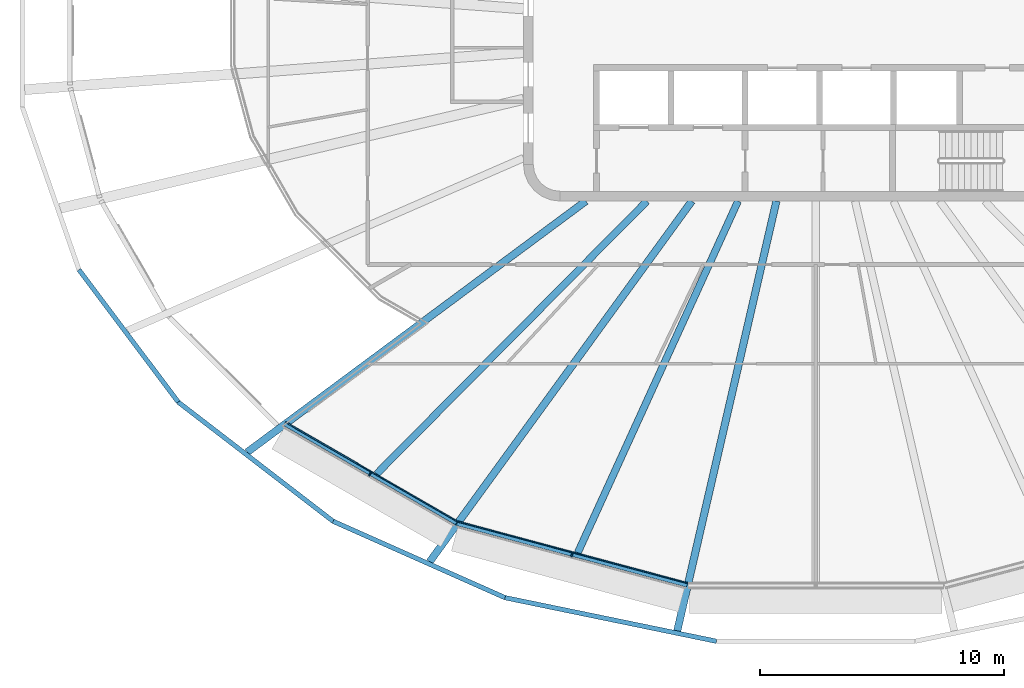
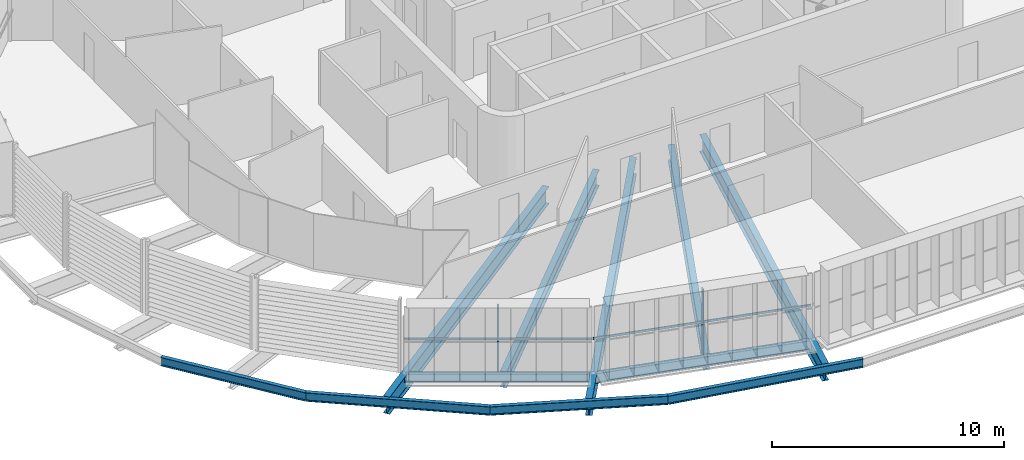
# One storey, part 1 of 20: 11 beams, 4 members, 2 elements without a shape of their own.
"""IFC4 building model written with IfcOpenShell, lengths in metres."""

import ifcopenshell
import ifcopenshell.guid

model = None  # the IFC model being written
_history = None  # IfcOwnerHistory: only IFC2X3 demands one
_inside = {}  # id of a spatial element -> (the spatial element, [elements in it])
_under = {}  # id of a project, library or spatial element -> (it, [spatial elements below it])
_declared = {}  # id of a project -> (the project, [libraries it declares])
_typed = {}  # id of a type object -> (the type object, [elements of that type])
_made_of = {}  # id of a material, layer set ... -> (it, [elements and type objects made of it])


def new_model(schema):
    """Start an empty IFC model of exactly this schema.

    Asked for "IFC4X3", IfcOpenShell would pick the latest addendum, in which some entities
    have other attributes; the version numbers below select the first issue.
    IFC2X3 requires an IfcOwnerHistory on every rooted entity: one is made here for all.
    """
    global model, _history
    if schema == "IFC4X3":
        model = ifcopenshell.file(schema_version=(4, 3, 0, 0))
    else:
        model = ifcopenshell.file(schema=schema)
    _inside.clear()
    _under.clear()
    _declared.clear()
    _typed.clear()
    _made_of.clear()
    _history = None
    if model.schema == "IFC2X3":
        org = make("IfcOrganization", Name="unknown")
        user = make(
            "IfcPersonAndOrganization",
            ThePerson=make("IfcPerson", FamilyName="unknown"),
            TheOrganization=org,
        )
        app = make(
            "IfcApplication",
            ApplicationDeveloper=org,
            Version="unknown",
            ApplicationFullName="unknown",
            ApplicationIdentifier="unknown",
        )
        _history = make(
            "IfcOwnerHistory",
            OwningUser=user,
            OwningApplication=app,
            ChangeAction="ADDED",
            CreationDate=0,
        )
    return model


def make(cls, **values):
    """One entity of the class cls with the attributes given. An attribute that is None is left unset."""
    return model.create_entity(
        cls, **{name: value for name, value in values.items() if value is not None}
    )


def rooted(cls, **values):
    """An entity with a GlobalId (a new one), such as an element, a storey or a relation."""
    return make(cls, GlobalId=ifcopenshell.guid.new(), OwnerHistory=_history, **values)


def si_unit(unit_type, name, prefix=None):
    """IfcSIUnit, for example si_unit("LENGTHUNIT", "METRE", prefix="MILLI")."""
    return make("IfcSIUnit", UnitType=unit_type, Prefix=prefix, Name=name)


def assignment(units):
    """IfcUnitAssignment: the units of a project."""
    return None if units is None else make("IfcUnitAssignment", Units=units)


def point(xyz):
    """IfcCartesianPoint."""
    return None if xyz is None else make("IfcCartesianPoint", Coordinates=xyz)


def direction(xyz):
    """IfcDirection."""
    return None if xyz is None else make("IfcDirection", DirectionRatios=xyz)


def frame(location, z_axis=None, x_axis=None):
    """IfcAxis2Placement3D, a coordinate frame: its origin and axes. An axis left out is left unset."""
    return make(
        "IfcAxis2Placement3D",
        Location=point(location),
        Axis=direction(z_axis),
        RefDirection=direction(x_axis),
    )


def frame_2d(location, x_axis=None):
    """IfcAxis2Placement2D, a coordinate frame in the plane: its origin and x axis."""
    return make(
        "IfcAxis2Placement2D", Location=point(location), RefDirection=direction(x_axis)
    )


def origin():
    """The frame at (0, 0, 0) with its axes left unset."""
    return frame((0.0, 0.0, 0.0))


def origin_2d():
    """The frame at (0, 0) in the plane with its x axis left unset."""
    return frame_2d((0.0, 0.0))


def place(relative_to, where):
    """IfcLocalPlacement: puts the frame where relative to a parent placement (None: the world)."""
    return make(
        "IfcLocalPlacement", PlacementRelTo=relative_to, RelativePlacement=where
    )


def context(
    kind, dimensions, precision=None, world=None, true_north=None, identifier=None
):
    """IfcGeometricRepresentationContext, for example the 3D "Model" context."""
    return make(
        "IfcGeometricRepresentationContext",
        ContextIdentifier=identifier,
        ContextType=kind,
        CoordinateSpaceDimension=dimensions,
        Precision=precision,
        WorldCoordinateSystem=world,
        TrueNorth=true_north,
    )


def subcontext(parent, identifier, kind, view, scale=None):
    """IfcGeometricRepresentationSubContext, for example "Body" below "Model"."""
    return make(
        "IfcGeometricRepresentationSubContext",
        ContextIdentifier=identifier,
        ContextType=kind,
        ParentContext=parent,
        TargetScale=scale,
        TargetView=view,
    )


def project(units=None, contexts=None):
    """IfcProject with its units and contexts."""
    return rooted(
        "IfcProject",
        Name="project",
        RepresentationContexts=contexts,
        UnitsInContext=assignment(units),
    )


def spatial(cls, under=None, at=None, **own):
    """A site, building, storey or space (cls), placed at a placement, below another one or the project."""
    s = rooted(cls, ObjectPlacement=at, **own)
    if under is not None:
        _under.setdefault(under.id(), (under, []))[1].append(s)
    return s


def profile(cls, at=None, kind="AREA", **sizes):
    """A parametric profile (cls). Its sizes go by their IFC names, for example OverallWidth=200.0."""
    return make(cls, ProfileType=kind, Position=at, **sizes)


def rectangle(**sizes):
    """IfcRectangleProfileDef."""
    return profile("IfcRectangleProfileDef", **sizes)


def i_section(**sizes):
    """IfcIShapeProfileDef."""
    return profile("IfcIShapeProfileDef", **sizes)


def extrude(swept, where, along, depth):
    """IfcExtrudedAreaSolid: the profile swept, set in the frame where, extruded along a direction by depth."""
    return make(
        "IfcExtrudedAreaSolid",
        SweptArea=swept,
        Position=where,
        ExtrudedDirection=direction(along),
        Depth=depth,
    )


def shape(context_of_items, identifier, shape_type, items):
    """IfcShapeRepresentation: the items that make up one representation, for example the "Body"."""
    return make(
        "IfcShapeRepresentation",
        ContextOfItems=context_of_items,
        RepresentationIdentifier=identifier,
        RepresentationType=shape_type,
        Items=items,
    )


def material(Name=None, Category=None):
    """IfcMaterial."""
    return make("IfcMaterial", Name=Name, Category=Category)


def layer(
    of_material, thickness, ventilated=None, Name=None, Category=None, Priority=None
):
    """IfcMaterialLayer: one layer of a wall or slab, of a material (None: an air gap)."""
    return make(
        "IfcMaterialLayer",
        Material=of_material,
        LayerThickness=thickness,
        IsVentilated=ventilated,
        Name=Name,
        Category=Category,
        Priority=Priority,
    )


def layer_set(layers, Name=None):
    """IfcMaterialLayerSet."""
    return make("IfcMaterialLayerSet", MaterialLayers=layers, LayerSetName=Name)


def material_profile(
    of_material, cross_section, Name=None, Category=None, Priority=None
):
    """IfcMaterialProfile: a cross section and its material."""
    return make(
        "IfcMaterialProfile",
        Name=Name,
        Material=of_material,
        Profile=cross_section,
        Priority=Priority,
        Category=Category,
    )


def profile_set(profiles, Name=None, composite=None):
    """IfcMaterialProfileSet."""
    return make(
        "IfcMaterialProfileSet",
        Name=Name,
        MaterialProfiles=profiles,
        CompositeProfile=composite,
    )


def made_of(thing, what):
    """Note that an element or type object is made of a material, layer set ...; save() writes the relation."""
    if what is not None:
        _made_of.setdefault(what.id(), (what, []))[1].append(thing)
    return thing


def type_object(cls, material=None, **own):
    """A type object (cls), such as IfcWallType, which elements share."""
    return made_of(rooted(cls, **own), material)


def element(
    cls,
    number,
    at=None,
    inside=None,
    cuts=None,
    type_object=None,
    material=None,
    context=None,
    identifier="Body",
    shape_type=None,
    held_by="IfcProductDefinitionShape",
    body=None,
    shapes=None,
    **own,
):
    """One element of the class cls, such as IfcWall. Its Tag is "e" and its number.

    at: its placement. inside: the storey or other place that contains it. cuts: it is an
    opening in that element (IfcRelVoidsElement). A single representation is given by context,
    identifier, shape_type and body (its items); several are given by shapes. held_by: the class
    of the entity that holds the representations. save() writes the other relations.
    """
    e = rooted(cls, Tag="e%d" % number, ObjectPlacement=at, **own)
    if body is not None:
        shapes = [shape(context, identifier, shape_type, body)]
    if shapes is not None:
        e.Representation = make(held_by, Representations=shapes)
    if inside is not None:
        _inside.setdefault(inside.id(), (inside, []))[1].append(e)
    if cuts is not None:
        rooted(
            "IfcRelVoidsElement", RelatingBuildingElement=cuts, RelatedOpeningElement=e
        )
    if type_object is not None:
        _typed.setdefault(type_object.id(), (type_object, []))[1].append(e)
    return made_of(e, material)


def aggregate(whole, parts):
    """IfcRelAggregates: a whole, such as a stair, and the parts it consists of."""
    return rooted("IfcRelAggregates", RelatingObject=whole, RelatedObjects=parts)


def save(model, path):
    """Write the relations noted so far, then the file.

    IfcRelAggregates (storeys below a building ...), IfcRelContainedInSpatialStructure (elements
    in a storey), IfcRelDefinesByType, IfcRelAssociatesMaterial and IfcRelDeclares: one each for
    every whole, place, type object, material and project.
    """
    for whole, parts in _under.values():
        aggregate(whole, parts)
    for where, things in _inside.values():
        rooted(
            "IfcRelContainedInSpatialStructure",
            RelatedElements=things,
            RelatingStructure=where,
        )
    for kind, things in _typed.values():
        rooted("IfcRelDefinesByType", RelatedObjects=things, RelatingType=kind)
    for what, things in _made_of.values():
        rooted("IfcRelAssociatesMaterial", RelatedObjects=things, RelatingMaterial=what)
    for by, libraries in _declared.values():
        rooted("IfcRelDeclares", RelatingContext=by, RelatedDefinitions=libraries)
    model.write(path)


model = new_model("IFC4")

# Units and contexts
model_context = context("Model", 3, precision=1e-05, world=origin(), true_north=direction((0.0, 1.0)))
body_context = subcontext(model_context, "Body", "Model", "MODEL_VIEW")
ifc_project = project(units=[si_unit("LENGTHUNIT", "METRE"), si_unit("AREAUNIT", "SQUARE_METRE"), si_unit("VOLUMEUNIT", "CUBIC_METRE"), si_unit("PLANEANGLEUNIT", "RADIAN"), si_unit("MASSUNIT", "GRAM", prefix="KILO")], contexts=[model_context])

# Site, building, storey
site_placement = place(None, origin())
site = spatial("IfcSite", under=ifc_project, at=site_placement, CompositionType="ELEMENT")
building_placement = place(site_placement, origin())
building = spatial("IfcBuilding", under=site, at=building_placement, Name="Sahrelin Media Tower", CompositionType="ELEMENT")
storey_placement = place(building_placement, frame((0.0, 0.0, 225.60009765625)))
storey = spatial("IfcBuildingStorey", under=building, at=storey_placement, Name="L48", CompositionType="ELEMENT", Elevation=225.60009765625)

# Beams
ifc_material_1 = material(Name="Steel S355", Category="steel")
ifc_material_profile_1 = material_profile(ifc_material_1, i_section(OverallWidth=0.1904296875, OverallDepth=0.45703125, WebThickness=0.009033203125, FlangeThickness=0.014404296875, FilletRadius=0.01025390625, at=origin_2d()), Name="UB 457x191x74")
ifc_profile_set_1 = profile_set([ifc_material_profile_1], Name="Steel S355")
beam_type_1 = type_object("IfcBeamType", Name="Edge beam EB5", PredefinedType="BEAM", material=ifc_profile_set_1)
beam_1_placement = place(storey_placement, frame((-14.749267578125, -20.207763671875, -0.378662109375), z_axis=(-0.866012430043, 0.500022470507, 0.0), x_axis=(-0.500022470507, -0.866012430043, 0.0)))
element("IfcBeam", 1, at=beam_1_placement, inside=storey, type_object=beam_type_1, Name="Edge beam L48-09", PredefinedType="BEAM", context=body_context, shape_type="SweptSolid", body=[
    extrude(i_section(OverallWidth=0.1904296875, OverallDepth=0.45703125, WebThickness=0.009033203125, FlangeThickness=0.014404296875, FilletRadius=0.01025390625, at=origin_2d()), origin(), (0.0, 0.0, 1.0), 8.147705078125),
])
ifc_material_profile_2 = material_profile(ifc_material_1, i_section(OverallWidth=0.208740234375, OverallDepth=0.5283203125, WebThickness=0.009521484375, FlangeThickness=0.01318359375, FilletRadius=0.0126953125, at=origin_2d()), Name="UB 533x210x82")
ifc_profile_set_2 = profile_set([ifc_material_profile_2], Name="Steel S355")
beam_type_2 = type_object("IfcBeamType", Name="Edge beam EB6", PredefinedType="BEAM", material=ifc_profile_set_2)
beam_2_placement = place(storey_placement, frame((-5.279296875, -22.7490234375, -0.414306640625), z_axis=(-0.965927541634, 0.258812643265, 0.0), x_axis=(-0.258812643265, -0.965927541634, 0.0)))
element("IfcBeam", 2, at=beam_2_placement, inside=storey, type_object=beam_type_2, Name="Edge beam L48-08", PredefinedType="BEAM", context=body_context, shape_type="SweptSolid", body=[
    extrude(i_section(OverallWidth=0.208740234375, OverallDepth=0.5283203125, WebThickness=0.009521484375, FlangeThickness=0.01318359375, FilletRadius=0.0126953125, at=origin_2d()), origin(), (0.0, 0.0, 1.0), 9.7763671875),
])

# Curtain wall, member
ifc_material_2 = material(Name="Champagne anodised aluminium 6063-T6", Category="aluminium")
ifc_layer = layer(ifc_material_2, 0.14990234375)
ifc_layer_set = layer_set([ifc_layer], Name="Tower ribbon curtain wall")
curtain_wall_type = type_object("IfcCurtainWallType", Name="Tower ribbon curtain wall", PredefinedType="NOTDEFINED", material=ifc_layer_set)
curtain_wall_1_placement = place(storey_placement, frame((-18.352294921875, -18.30078125, 0.0), z_axis=(0.0, 0.0, 1.0), x_axis=(1.0, 0.0, 0.0)))
curtain_wall_1 = element("IfcCurtainWall", 3, at=curtain_wall_1_placement, inside=storey, type_object=curtain_wall_type, Name="L48:CW:L48-16", PredefinedType="NOTDEFINED")
ifc_material_profile_3 = material_profile(ifc_material_2, rectangle(XDim=0.06005859375, YDim=0.175048828125, at=origin_2d()), Name="Mullion 60x175")
ifc_profile_set_3 = profile_set([ifc_material_profile_3], Name="Champagne anodised aluminium 6063-T6")
member_type_1 = type_object("IfcMemberType", Name="Mullion 60x175 CW1B", PredefinedType="MULLION", material=ifc_profile_set_3)
member_1_placement = place(storey_placement, frame((-18.298583984375, -18.20751953125, 0.0), z_axis=(0.0, 0.0, 1.0), x_axis=(0.866026276448, -0.4999984885, 0.0)))
member_1 = element("IfcMember", 4, at=member_1_placement, type_object=member_type_1, Name="L48:CWM:L48-16", PredefinedType="MULLION", context=body_context, shape_type="SweptSolid", body=[
    extrude(rectangle(XDim=0.06005859375, YDim=0.175048828125, at=origin_2d()), origin(), (0.0, 0.0, 1.0), 3.448486328125),
])

curtain_wall_2_placement = place(storey_placement, frame((-10.039794921875, -21.62890625, 0.0), z_axis=(0.0, 0.0, 1.0), x_axis=(1.0, 0.0, 0.0)))
curtain_wall_2 = element("IfcCurtainWall", 5, at=curtain_wall_2_placement, inside=storey, type_object=curtain_wall_type, Name="L48:CW:L48-17", PredefinedType="NOTDEFINED")
member_2_placement = place(storey_placement, frame((-10.011962890625, -21.52490234375, 0.0), z_axis=(0.0, 0.0, 1.0), x_axis=(0.965926278012, -0.258817359244, 0.0)))
member_2 = element("IfcMember", 6, at=member_2_placement, type_object=member_type_1, Name="L48:CWM:L48-17", PredefinedType="MULLION", context=body_context, shape_type="SweptSolid", body=[
    extrude(rectangle(XDim=0.06005859375, YDim=0.175048828125, at=origin_2d()), origin(), (0.0, 0.0, 1.0), 3.448486328125),
])

# Beams
ifc_material_profile_4 = material_profile(ifc_material_1, i_section(OverallWidth=0.30322265625, OverallDepth=0.903076171875, WebThickness=0.01513671875, FlangeThickness=0.020263671875, FilletRadius=0.01904296875, at=origin_2d()), Name="UB 914x305x201")
ifc_profile_set_4 = profile_set([ifc_material_profile_4], Name="Steel S355")
beam_type_3 = type_object("IfcBeamType", Name="Radial primary beam PB11", PredefinedType="BEAM", material=ifc_profile_set_4)
beam_3_placement = place(storey_placement, frame((-9.43994140625, -7.0, -0.6015625), z_axis=(-0.803256504136, -0.595633266838, 0.0), x_axis=(0.595633266838, -0.803256504136, 0.0)))
element("IfcBeam", 7, at=beam_3_placement, inside=storey, type_object=beam_type_3, Name="Radial beam L48-16", PredefinedType="BEAM", context=body_context, shape_type="SweptSolid", body=[
    extrude(i_section(OverallWidth=0.30322265625, OverallDepth=0.903076171875, WebThickness=0.01513671875, FlangeThickness=0.020263671875, FilletRadius=0.01904296875, at=origin_2d()), origin(), (0.0, 0.0, 1.0), 17.30908203125),
])
beam_4_placement = place(storey_placement, frame((-5.087890625, -7.0, -0.6015625), z_axis=(-0.587944035453, -0.808901607846, 0.0), x_axis=(0.808901607846, -0.587944035453, 0.0)))
element("IfcBeam", 8, at=beam_4_placement, inside=storey, type_object=beam_type_3, Name="Radial beam L48-17", PredefinedType="BEAM", context=body_context, shape_type="SweptSolid", body=[
    extrude(i_section(OverallWidth=0.30322265625, OverallDepth=0.903076171875, WebThickness=0.01513671875, FlangeThickness=0.020263671875, FilletRadius=0.01904296875, at=origin_2d()), origin(), (0.0, 0.0, 1.0), 18.302001953125),
])
beam_5_placement = place(storey_placement, frame((-1.615234375, -7.0, -0.6015625), z_axis=(-0.224839811438, -0.974395740545, 0.0), x_axis=(0.974395740545, -0.224839811438, 0.0)))
element("IfcBeam", 9, at=beam_5_placement, inside=storey, type_object=beam_type_3, Name="Radial beam L48-18", PredefinedType="BEAM", context=body_context, shape_type="SweptSolid", body=[
    extrude(i_section(OverallWidth=0.30322265625, OverallDepth=0.903076171875, WebThickness=0.01513671875, FlangeThickness=0.020263671875, FilletRadius=0.01904296875, at=origin_2d()), origin(), (0.0, 0.0, 1.0), 18.1064453125),
])
ifc_material_profile_5 = material_profile(ifc_material_1, i_section(OverallWidth=0.291748046875, OverallDepth=0.8349609375, WebThickness=0.013916015625, FlangeThickness=0.018798828125, FilletRadius=0.017822265625, at=origin_2d()), Name="UB 838x292x176")
ifc_profile_set_5 = profile_set([ifc_material_profile_5], Name="Steel S355")
beam_type_4 = type_object("IfcBeamType", Name="Radial secondary beam SB10", PredefinedType="BEAM", material=ifc_profile_set_5)
beam_6_placement = place(storey_placement, frame((-6.93359375, -7.0, -0.567626953125), z_axis=(-0.703723553011, -0.710473898843, 0.0), x_axis=(0.710473898843, -0.703723553011, 0.0)))
element("IfcBeam", 10, at=beam_6_placement, inside=storey, type_object=beam_type_4, Name="Secondary beam L48-12", PredefinedType="BEAM", context=body_context, shape_type="SweptSolid", body=[
    extrude(i_section(OverallWidth=0.291748046875, OverallDepth=0.8349609375, WebThickness=0.013916015625, FlangeThickness=0.018798828125, FilletRadius=0.017822265625, at=origin_2d()), origin(), (0.0, 0.0, 1.0), 15.768798828125),
])
beam_7_placement = place(storey_placement, frame((-3.1904296875, -7.0, -0.567626953125), z_axis=(-0.414733659063, -0.909942850975, 0.0), x_axis=(0.909942850975, -0.414733659063, 0.0)))
element("IfcBeam", 11, at=beam_7_placement, inside=storey, type_object=beam_type_4, Name="Secondary beam L48-13", PredefinedType="BEAM", context=body_context, shape_type="SweptSolid", body=[
    extrude(i_section(OverallWidth=0.291748046875, OverallDepth=0.8349609375, WebThickness=0.013916015625, FlangeThickness=0.018798828125, FilletRadius=0.017822265625, at=origin_2d()), origin(), (0.0, 0.0, 1.0), 15.866455078125),
])
ifc_material_profile_6 = material_profile(ifc_material_1, i_section(OverallWidth=0.1904296875, OverallDepth=0.45703125, WebThickness=0.009033203125, FlangeThickness=0.014404296875, FilletRadius=0.01025390625, at=origin_2d()), Name="UB 457x191x74")
ifc_profile_set_6 = profile_set([ifc_material_profile_6], Name="Steel S355")
beam_type_5 = type_object("IfcBeamType", Name="Tie chord TC5", PredefinedType="BEAM", material=ifc_profile_set_6)
beam_8_placement = place(storey_placement, frame((-30.247314453125, -9.82080078125, -0.378662109375), z_axis=(0.600034521384, -0.799974107798, 0.0), x_axis=(0.799974107798, 0.600034521384, 0.0)))
element("IfcBeam", 12, at=beam_8_placement, inside=storey, type_object=beam_type_5, Name="Tie chord L48-14", PredefinedType="BEAM", context=body_context, shape_type="SweptSolid", body=[
    extrude(i_section(OverallWidth=0.1904296875, OverallDepth=0.45703125, WebThickness=0.009033203125, FlangeThickness=0.014404296875, FilletRadius=0.01025390625, at=origin_2d()), origin(), (0.0, 0.0, 1.0), 6.7890625),
])
beam_9_placement = place(storey_placement, frame((-26.173583984375, -15.251953125, -0.378662109375), z_axis=(0.792463332497, -0.609919557523, 0.0), x_axis=(0.609919557523, 0.792463332497, 0.0)))
element("IfcBeam", 13, at=beam_9_placement, inside=storey, type_object=beam_type_5, Name="Tie chord L48-15", PredefinedType="BEAM", context=body_context, shape_type="SweptSolid", body=[
    extrude(i_section(OverallWidth=0.1904296875, OverallDepth=0.45703125, WebThickness=0.009033203125, FlangeThickness=0.014404296875, FilletRadius=0.01025390625, at=origin_2d()), origin(), (0.0, 0.0, 1.0), 8.023193359375),
])
beam_10_placement = place(storey_placement, frame((-19.8154296875, -20.1455078125, -0.378662109375), z_axis=(0.913827194027, -0.406103262061, 0.0), x_axis=(0.406103262061, 0.913827194027, 0.0)))
element("IfcBeam", 14, at=beam_10_placement, inside=storey, type_object=beam_type_5, Name="Tie chord L48-16", PredefinedType="BEAM", context=body_context, shape_type="SweptSolid", body=[
    extrude(i_section(OverallWidth=0.1904296875, OverallDepth=0.45703125, WebThickness=0.009033203125, FlangeThickness=0.014404296875, FilletRadius=0.01025390625, at=origin_2d()), origin(), (0.0, 0.0, 1.0), 7.721435546875),
])
beam_11_placement = place(storey_placement, frame((-12.75927734375, -23.28125, -0.378662109375), z_axis=(0.979387737281, -0.201989257299, 0.0), x_axis=(0.201989257299, 0.979387737281, 0.0)))
element("IfcBeam", 15, at=beam_11_placement, inside=storey, type_object=beam_type_5, Name="Tie chord L48-17", PredefinedType="BEAM", context=body_context, shape_type="SweptSolid", body=[
    extrude(i_section(OverallWidth=0.1904296875, OverallDepth=0.45703125, WebThickness=0.009033203125, FlangeThickness=0.014404296875, FilletRadius=0.01025390625, at=origin_2d()), origin(), (0.0, 0.0, 1.0), 8.8681640625),
])

# Member
ifc_material_profile_7 = material_profile(ifc_material_2, rectangle(XDim=0.050048828125, YDim=0.110107421875, at=origin_2d()), Name="Transom 50x110")
ifc_profile_set_7 = profile_set([ifc_material_profile_7], Name="Champagne anodised aluminium 6063-T6")
member_type_2 = type_object("IfcMemberType", Name="Transom 50x110 CW1B", PredefinedType="USERDEFINED", material=ifc_profile_set_7)
member_3_placement = place(storey_placement, frame((-21.756591796875, -16.081298828125, 1.599853515625), z_axis=(0.866037312134, -0.499979373566, 0.0), x_axis=(0.499979373566, 0.866037312134, 0.0)))
member_3 = element("IfcMember", 16, at=member_3_placement, type_object=member_type_2, Name="L48:CWT:L48-16", ObjectType="TRANSOM", PredefinedType="USERDEFINED", context=body_context, shape_type="SweptSolid", body=[
    extrude(rectangle(XDim=0.050048828125, YDim=0.110107421875, at=origin_2d()), origin(), (0.0, 0.0, 1.0), 8.115966796875),
])

aggregate(curtain_wall_1, [member_1, member_3])

member_4_placement = place(storey_placement, frame((-14.689453125, -20.155029296875, 1.599853515625), z_axis=(0.965919870225, -0.258841272413, 0.0), x_axis=(0.258841272413, 0.965919870225, 0.0)))
member_4 = element("IfcMember", 17, at=member_4_placement, type_object=member_type_2, Name="L48:CWT:L48-17", ObjectType="TRANSOM", PredefinedType="USERDEFINED", context=body_context, shape_type="SweptSolid", body=[
    extrude(rectangle(XDim=0.050048828125, YDim=0.110107421875, at=origin_2d()), origin(), (0.0, 0.0, 1.0), 9.7451171875),
])

aggregate(curtain_wall_2, [member_2, member_4])

save(model, "model.ifc")
